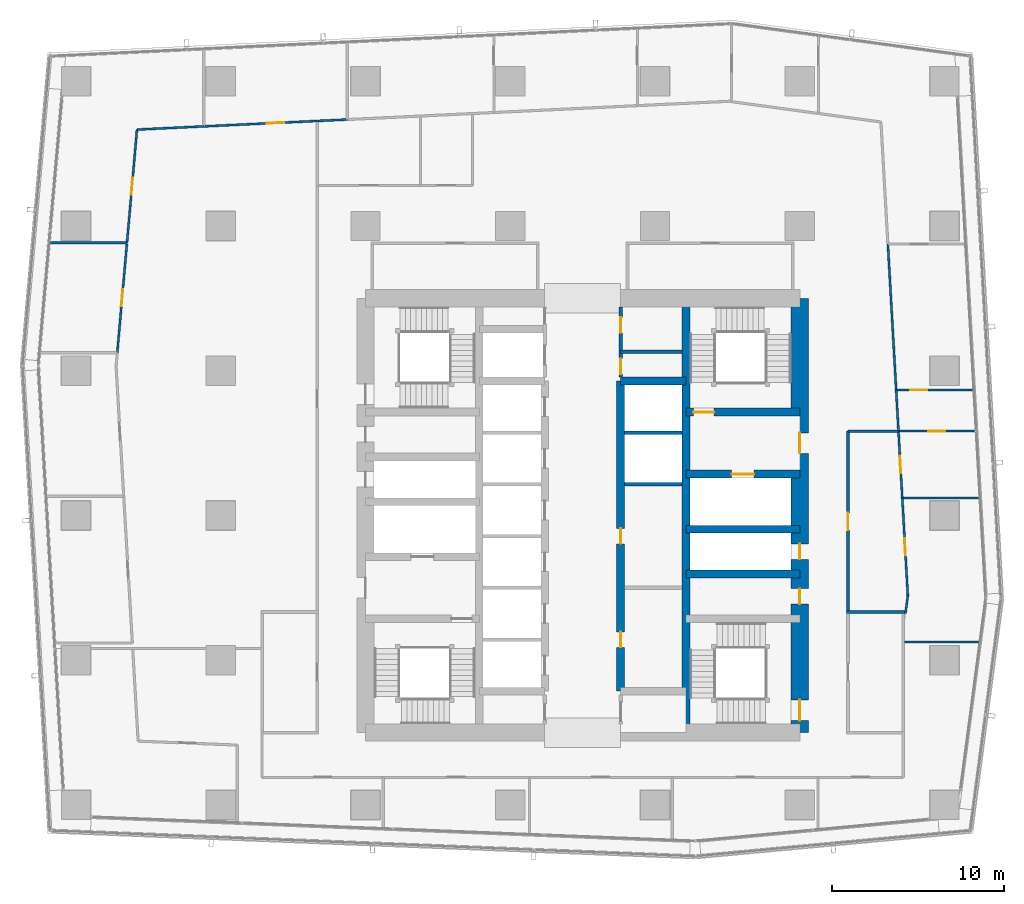
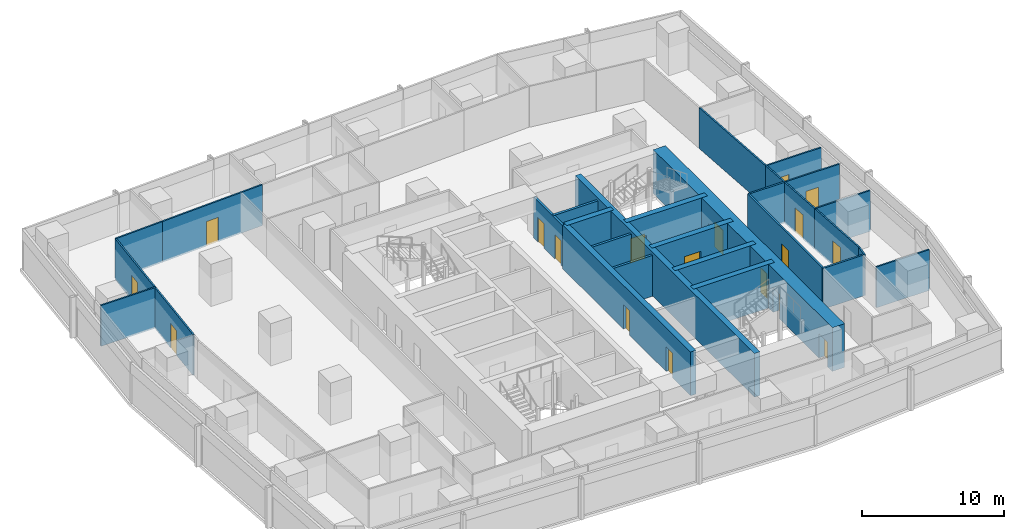
# One storey, part 29 of 39: 29 walls, 18 doors, 18 openings.
"""IFC4 building model written with IfcOpenShell, lengths in metres."""

from ifc_helpers import new_model, si_unit, direction, frame, frame_2d, origin, place, context, subcontext, project, spatial, rectangle, extrude, material, layer, layer_set, type_object, element, fill, save


model = new_model("IFC4")

# Units and contexts
model_context = context("Model", 3, precision=1e-05, world=origin(), true_north=direction((0.0, 1.0)))
body_context = subcontext(model_context, "Body", "Model", "MODEL_VIEW")
ifc_project = project(units=[si_unit("LENGTHUNIT", "METRE"), si_unit("AREAUNIT", "SQUARE_METRE"), si_unit("VOLUMEUNIT", "CUBIC_METRE"), si_unit("PLANEANGLEUNIT", "RADIAN"), si_unit("MASSUNIT", "GRAM", prefix="KILO")], contexts=[model_context])

# Site, building, storey
site_placement = place(None, origin())
site = spatial("IfcSite", under=ifc_project, at=site_placement, CompositionType="ELEMENT")
building_placement = place(site_placement, origin())
building = spatial("IfcBuilding", under=site, at=building_placement, Name="Rekha Terrace Tower", CompositionType="ELEMENT")
storey_placement = place(building_placement, frame((0.0, 0.0, 180.199951171875)))
storey = spatial("IfcBuildingStorey", under=building, at=storey_placement, Name="L45", CompositionType="ELEMENT", Elevation=180.199951171875)

# Wall
ifc_material_1 = material(Name="Concrete M60", Category="concrete")
ifc_layer_1 = layer(ifc_material_1, 0.449951171875)
ifc_layer_set_1 = layer_set([ifc_layer_1], Name="Concrete M60")
wall_type_1 = type_object("IfcWallType", Name="CI3 450 core internal shear wall", PredefinedType="SHEAR", material=ifc_layer_set_1)
wall_1_placement = place(storey_placement, frame((43.800048828125, 21.0, 0.0), z_axis=(0.0, 0.0, 1.0), x_axis=(0.0, 1.0, 0.0)))
element("IfcWall", 1, at=wall_1_placement, inside=storey, type_object=wall_type_1, Name="Core wall X438 L45", PredefinedType="SHEAR", context=body_context, shape_type="SweptSolid", body=[
    extrude(rectangle(XDim=25.199951171875, YDim=0.449951171875, at=frame_2d((12.60009765625, 0.0))), origin(), (0.0, 0.0, 1.0), 3.75),
])

# Wall, openings, doors
wall_2_placement = place(storey_placement, frame((40.0, 23.39990234375, 0.0), z_axis=(0.0, 0.0, 1.0), x_axis=(0.0, 1.0, 0.0)))
wall_2 = element("IfcWall", 2, at=wall_2_placement, inside=storey, type_object=wall_type_1, Name="Core wall X400 L45", PredefinedType="SHEAR", context=body_context, shape_type="SweptSolid", body=[
    extrude(rectangle(XDim=18.0, YDim=0.449951171875, at=frame_2d((9.0, 0.0))), origin(), (0.0, 0.0, 1.0), 3.75),
])
opening_1_placement = place(wall_2_placement, frame((2.550048828125, 0.0, 0.0)))
opening_1 = element("IfcOpeningElement", 3, at=opening_1_placement, cuts=wall_2, Name="Opening D5", PredefinedType="OPENING", context=body_context, shape_type="SweptSolid", body=[
    extrude(rectangle(XDim=0.89990234375, YDim=2.10009765625, at=frame_2d((0.449951171875, 1.050048828125))), frame((0.0, 0.23486328125, 0.0), z_axis=(0.0, -1.0, 0.0), x_axis=(1.0, 0.0, 0.0)), (0.0, 0.0, 1.0), 0.469970703125),
])
opening_2_placement = place(wall_2_placement, frame((8.550048828125, 0.0, 0.0)))
opening_2 = element("IfcOpeningElement", 4, at=opening_2_placement, cuts=wall_2, Name="Opening D5", PredefinedType="OPENING", context=body_context, shape_type="SweptSolid", body=[
    extrude(rectangle(XDim=0.89990234375, YDim=2.10009765625, at=frame_2d((0.449951171875, 1.050048828125))), frame((0.0, 0.23486328125, 0.0), z_axis=(0.0, -1.0, 0.0), x_axis=(1.0, 0.0, 0.0)), (0.0, 0.0, 1.0), 0.469970703125),
])
ifc_material_2 = material(Name="Steel fire door", Category="steel")
door_type_1 = type_object("IfcDoorType", Name="D5 900x2100 riser access door", OperationType="SINGLE_SWING_LEFT", PredefinedType="DOOR", material=ifc_material_2)
door_1_placement = place(opening_1_placement, origin())
door_1 = element("IfcDoor", 5, at=door_1_placement, inside=storey, type_object=door_type_1, Name="Door back-of-house store L45", OperationType="SINGLE_SWING_LEFT", OverallHeight=2.10009765625, OverallWidth=0.89990234375, PredefinedType="DOOR", context=body_context, shape_type="SweptSolid", body=[
    extrude(rectangle(XDim=0.89990234375, YDim=2.10009765625, at=frame_2d((0.449951171875, 1.050048828125))), frame((0.0, 0.02490234375, 0.0), z_axis=(0.0, -1.0, 0.0), x_axis=(1.0, 0.0, 0.0)), (0.0, 0.0, 1.0), 0.050048828125),
])
fill(opening_1, door_1)
door_2_placement = place(opening_2_placement, origin())
door_2 = element("IfcDoor", 6, at=door_2_placement, inside=storey, type_object=door_type_1, Name="Door back-of-house store L45", OperationType="SINGLE_SWING_LEFT", OverallHeight=2.10009765625, OverallWidth=0.89990234375, PredefinedType="DOOR", context=body_context, shape_type="SweptSolid", body=[
    extrude(rectangle(XDim=0.89990234375, YDim=2.10009765625, at=frame_2d((0.449951171875, 1.050048828125))), frame((0.0, 0.02490234375, 0.0), z_axis=(0.0, -1.0, 0.0), x_axis=(1.0, 0.0, 0.0)), (0.0, 0.0, 1.0), 0.050048828125),
])
fill(opening_2, door_2)

# Walls
wall_3_placement = place(storey_placement, frame((40.0, 41.39990234375, 0.0), z_axis=(0.0, 0.0, 1.0), x_axis=(1.0, 0.0, 0.0)))
element("IfcWall", 7, at=wall_3_placement, inside=storey, type_object=wall_type_1, Name="Core wall Y414E L45", PredefinedType="SHEAR", context=body_context, shape_type="SweptSolid", body=[
    extrude(rectangle(XDim=3.800048828125, YDim=0.449951171875, at=frame_2d((1.89990234375, 0.0))), origin(), (0.0, 0.0, 1.0), 3.75),
])
for number, where, z_axis, x_axis, name in (
    (8, (43.800048828125, 30.199951171875, 0.0), (0.0, 0.0, 1.0), (1.0, 0.0, 0.0), "Core wall Y302E L45"),
    (9, (43.800048828125, 32.800048828125, 0.0), (0.0, 0.0, 1.0), (1.0, 0.0, 0.0), "Core wall Y328E L45"),
):
    element("IfcWall", number, at=place(storey_placement, frame(where, z_axis=z_axis, x_axis=x_axis)), inside=storey, type_object=wall_type_1, Name=name, PredefinedType="SHEAR", context=body_context, shape_type="SweptSolid", body=[
        extrude(rectangle(XDim=6.599853515625, YDim=0.449951171875, at=frame_2d((3.2998046875, 0.0))), origin(), (0.0, 0.0, 1.0), 3.75),
    ])

# Wall, opening, door
wall_4_placement = place(storey_placement, frame((43.800048828125, 36.0, 0.0), z_axis=(0.0, 0.0, 1.0), x_axis=(1.0, 0.0, 0.0)))
wall_4 = element("IfcWall", 10, at=wall_4_placement, inside=storey, type_object=wall_type_1, Name="Core wall Y360E L45", PredefinedType="SHEAR", context=body_context, shape_type="SweptSolid", body=[
    extrude(rectangle(XDim=6.599853515625, YDim=0.449951171875, at=frame_2d((3.2998046875, 0.0))), origin(), (0.0, 0.0, 1.0), 3.75),
])
opening_3_placement = place(wall_4_placement, frame((2.64990234375, 0.0, 0.0)))
opening_3 = element("IfcOpeningElement", 11, at=opening_3_placement, cuts=wall_4, Name="Opening LD2", PredefinedType="OPENING", context=body_context, shape_type="SweptSolid", body=[
    extrude(rectangle(XDim=1.300048828125, YDim=2.10009765625, at=frame_2d((0.64990234375, 1.050048828125))), frame((0.0, 0.23486328125, 0.0), z_axis=(0.0, -1.0, 0.0), x_axis=(1.0, 0.0, 0.0)), (0.0, 0.0, 1.0), 0.469970703125),
])
ifc_material_3 = material(Name="Stainless steel sliding landing door", Category="steel")
door_type_2 = type_object("IfcDoorType", Name="LD2 1300x2100 fire lift landing door", OperationType="SLIDING_TO_LEFT", PredefinedType="USERDEFINED", material=ifc_material_3)
door_3_placement = place(opening_3_placement, origin())
door_3 = element("IfcDoor", 12, at=door_3_placement, inside=storey, type_object=door_type_2, Name="Lift FL2 landing door L45", ObjectType="LIFT LANDING DOOR", OperationType="SLIDING_TO_LEFT", OverallHeight=2.10009765625, OverallWidth=1.300048828125, PredefinedType="USERDEFINED", context=body_context, shape_type="SweptSolid", body=[
    extrude(rectangle(XDim=1.300048828125, YDim=2.10009765625, at=frame_2d((0.64990234375, 1.050048828125))), frame((0.0, 0.02490234375, 0.0), z_axis=(0.0, -1.0, 0.0), x_axis=(1.0, 0.0, 0.0)), (0.0, 0.0, 1.0), 0.050048828125),
])
fill(opening_3, door_3)

wall_5_placement = place(storey_placement, frame((43.800048828125, 39.60009765625, 0.0), z_axis=(0.0, 0.0, 1.0), x_axis=(1.0, 0.0, 0.0)))
wall_5 = element("IfcWall", 13, at=wall_5_placement, inside=storey, type_object=wall_type_1, Name="Core wall Y396E L45", PredefinedType="SHEAR", context=body_context, shape_type="SweptSolid", body=[
    extrude(rectangle(XDim=6.599853515625, YDim=0.449951171875, at=frame_2d((3.2998046875, 0.0))), origin(), (0.0, 0.0, 1.0), 3.75),
])
opening_4_placement = place(wall_5_placement, frame((0.425048828125, 0.0, 0.0)))
opening_4 = element("IfcOpeningElement", 14, at=opening_4_placement, cuts=wall_5, Name="Opening D1", PredefinedType="OPENING", context=body_context, shape_type="SweptSolid", body=[
    extrude(rectangle(XDim=1.199951171875, YDim=2.10009765625, at=frame_2d((0.60009765625, 1.050048828125))), frame((0.0, 0.23486328125, 0.0), z_axis=(0.0, -1.0, 0.0), x_axis=(1.0, 0.0, 0.0)), (0.0, 0.0, 1.0), 0.469970703125),
])
door_type_3 = type_object("IfcDoorType", Name="D1 1200x2100 stair fire door", OperationType="SINGLE_SWING_RIGHT", PredefinedType="DOOR", material=ifc_material_2)
door_4_placement = place(opening_4_placement, origin())
door_4 = element("IfcDoor", 15, at=door_4_placement, inside=storey, type_object=door_type_3, Name="Stair ST2 door L45", OperationType="SINGLE_SWING_RIGHT", OverallHeight=2.10009765625, OverallWidth=1.199951171875, PredefinedType="DOOR", context=body_context, shape_type="SweptSolid", body=[
    extrude(rectangle(XDim=1.199951171875, YDim=2.10009765625, at=frame_2d((0.60009765625, 1.050048828125))), frame((0.0, 0.02490234375, 0.0), z_axis=(0.0, -1.0, 0.0), x_axis=(1.0, 0.0, 0.0)), (0.0, 0.0, 1.0), 0.050048828125),
])
fill(opening_4, door_4)

# Wall, openings, doors
ifc_layer_2 = layer(ifc_material_1, 1.0)
ifc_layer_set_2 = layer_set([ifc_layer_2], Name="Concrete M60")
wall_type_2 = type_object("IfcWallType", Name="SW3 1000 core outer shear wall", PredefinedType="SHEAR", material=ifc_layer_set_2)
wall_6_placement = place(storey_placement, frame((50.39990234375, 21.0, 0.0), z_axis=(0.0, 0.0, 1.0), x_axis=(0.0, 1.0, 0.0)))
wall_6 = element("IfcWall", 16, at=wall_6_placement, inside=storey, type_object=wall_type_2, Name="Core wall E L45", PredefinedType="SHEAR", context=body_context, shape_type="SweptSolid", body=[
    extrude(rectangle(XDim=25.199951171875, YDim=1.0, at=frame_2d((12.60009765625, 0.0))), origin(), (0.0, 0.0, 1.0), 3.75),
])
opening_5_placement = place(wall_6_placement, frame((16.199951171875, 0.0, 0.0)))
opening_5 = element("IfcOpeningElement", 17, at=opening_5_placement, cuts=wall_6, Name="Opening D2", PredefinedType="OPENING", context=body_context, shape_type="SweptSolid", body=[
    extrude(rectangle(XDim=1.199951171875, YDim=2.10009765625, at=frame_2d((0.60009765625, 1.050048828125))), frame((0.0, 0.510009765625, 0.0), z_axis=(0.0, -1.0, 0.0), x_axis=(1.0, 0.0, 0.0)), (0.0, 0.0, 1.0), 1.02001953125),
])
opening_6_placement = place(wall_6_placement, frame((10.050048828125, 0.0, 0.0)))
opening_6 = element("IfcOpeningElement", 18, at=opening_6_placement, cuts=wall_6, Name="Opening D5", PredefinedType="OPENING", context=body_context, shape_type="SweptSolid", body=[
    extrude(rectangle(XDim=0.89990234375, YDim=2.10009765625, at=frame_2d((0.449951171875, 1.050048828125))), frame((0.0, 0.510009765625, 0.0), z_axis=(0.0, -1.0, 0.0), x_axis=(1.0, 0.0, 0.0)), (0.0, 0.0, 1.0), 1.02001953125),
])
opening_7_placement = place(wall_6_placement, frame((7.449951171875, 0.0, 0.0)))
opening_7 = element("IfcOpeningElement", 19, at=opening_7_placement, cuts=wall_6, Name="Opening D5", PredefinedType="OPENING", context=body_context, shape_type="SweptSolid", body=[
    extrude(rectangle(XDim=0.89990234375, YDim=2.10009765625, at=frame_2d((0.449951171875, 1.050048828125))), frame((0.0, 0.510009765625, 0.0), z_axis=(0.0, -1.0, 0.0), x_axis=(1.0, 0.0, 0.0)), (0.0, 0.0, 1.0), 1.02001953125),
])
opening_8_placement = place(wall_6_placement, frame((0.699951171875, 0.0, 0.0)))
opening_8 = element("IfcOpeningElement", 20, at=opening_8_placement, cuts=wall_6, Name="Opening D1", PredefinedType="OPENING", context=body_context, shape_type="SweptSolid", body=[
    extrude(rectangle(XDim=1.199951171875, YDim=2.10009765625, at=frame_2d((0.60009765625, 1.050048828125))), frame((0.0, 0.510009765625, 0.0), z_axis=(0.0, -1.0, 0.0), x_axis=(1.0, 0.0, 0.0)), (0.0, 0.0, 1.0), 1.02001953125),
])
door_5_placement = place(opening_8_placement, origin())
door_5 = element("IfcDoor", 21, at=door_5_placement, inside=storey, type_object=door_type_3, Name="Stair ST3 door L45", OperationType="SINGLE_SWING_RIGHT", OverallHeight=2.10009765625, OverallWidth=1.199951171875, PredefinedType="DOOR", context=body_context, shape_type="SweptSolid", body=[
    extrude(rectangle(XDim=1.199951171875, YDim=2.10009765625, at=frame_2d((0.60009765625, 1.050048828125))), frame((0.0, 0.02490234375, 0.0), z_axis=(0.0, -1.0, 0.0), x_axis=(1.0, 0.0, 0.0)), (0.0, 0.0, 1.0), 0.050048828125),
])
fill(opening_8, door_5)
door_type_4 = type_object("IfcDoorType", Name="D2 1200x2100 firefighting lobby door", OperationType="SINGLE_SWING_LEFT", PredefinedType="DOOR", material=ifc_material_2)
door_6_placement = place(opening_5_placement, origin())
door_6 = element("IfcDoor", 22, at=door_6_placement, inside=storey, type_object=door_type_4, Name="Door flb2 L45", OperationType="SINGLE_SWING_LEFT", OverallHeight=2.10009765625, OverallWidth=1.199951171875, PredefinedType="DOOR", context=body_context, shape_type="SweptSolid", body=[
    extrude(rectangle(XDim=1.199951171875, YDim=2.10009765625, at=frame_2d((0.60009765625, 1.050048828125))), frame((0.0, 0.02490234375, 0.0), z_axis=(0.0, -1.0, 0.0), x_axis=(1.0, 0.0, 0.0)), (0.0, 0.0, 1.0), 0.050048828125),
])
fill(opening_5, door_6)
door_7_placement = place(opening_6_placement, origin())
door_7 = element("IfcDoor", 23, at=door_7_placement, inside=storey, type_object=door_type_1, Name="Door rs2 L45", OperationType="SINGLE_SWING_LEFT", OverallHeight=2.10009765625, OverallWidth=0.89990234375, PredefinedType="DOOR", context=body_context, shape_type="SweptSolid", body=[
    extrude(rectangle(XDim=0.89990234375, YDim=2.10009765625, at=frame_2d((0.449951171875, 1.050048828125))), frame((0.0, 0.02490234375, 0.0), z_axis=(0.0, -1.0, 0.0), x_axis=(1.0, 0.0, 0.0)), (0.0, 0.0, 1.0), 0.050048828125),
])
fill(opening_6, door_7)
door_8_placement = place(opening_7_placement, origin())
door_8 = element("IfcDoor", 24, at=door_8_placement, inside=storey, type_object=door_type_1, Name="Door ele L45", OperationType="SINGLE_SWING_LEFT", OverallHeight=2.10009765625, OverallWidth=0.89990234375, PredefinedType="DOOR", context=body_context, shape_type="SweptSolid", body=[
    extrude(rectangle(XDim=0.89990234375, YDim=2.10009765625, at=frame_2d((0.449951171875, 1.050048828125))), frame((0.0, 0.02490234375, 0.0), z_axis=(0.0, -1.0, 0.0), x_axis=(1.0, 0.0, 0.0)), (0.0, 0.0, 1.0), 0.050048828125),
])
fill(opening_7, door_8)

# Wall
ifc_material_4 = material(Name="Concrete block masonry, 1 hour", Category="masonry")
ifc_layer_3 = layer(ifc_material_4, 0.14990234375)
ifc_layer_set_3 = layer_set([ifc_layer_3], Name="Concrete block masonry, 1 hour")
wall_type_3 = type_object("IfcWallType", Name="WP2 150 tenancy partition", PredefinedType="PARTITIONING", material=ifc_layer_set_3)
wall_7_placement = place(storey_placement, frame((53.125, 28.0, 0.0), z_axis=(0.0, 0.0, 1.0), x_axis=(1.0, 0.0, 0.0)))
element("IfcWall", 25, at=wall_7_placement, inside=storey, type_object=wall_type_3, Name="Men's WC wall L45", PredefinedType="PARTITIONING", context=body_context, shape_type="SweptSolid", body=[
    extrude(rectangle(XDim=3.35009765625, YDim=0.14990234375, at=frame_2d((1.675048828125, 0.0))), origin(), (0.0, 0.0, 1.0), 3.5),
])

# Wall, opening, door
wall_8_placement = place(storey_placement, frame((53.199951171875, 28.074951171875, 0.0), z_axis=(0.0, 0.0, 1.0), x_axis=(0.0, 1.0, 0.0)))
wall_8 = element("IfcWall", 26, at=wall_8_placement, inside=storey, type_object=wall_type_3, Name="Partition L45-O1", PredefinedType="PARTITIONING", context=body_context, shape_type="SweptSolid", body=[
    extrude(rectangle(XDim=10.4189453125, YDim=0.14990234375, at=frame_2d((5.20947265625, 0.0))), origin(), (0.0, 0.0, 1.0), 3.5),
])
opening_9_placement = place(wall_8_placement, frame((4.672119140625, 0.0, 0.0)))
opening_9 = element("IfcOpeningElement", 27, at=opening_9_placement, cuts=wall_8, Name="Opening D9", PredefinedType="OPENING", context=body_context, shape_type="SweptSolid", body=[
    extrude(rectangle(XDim=1.0, YDim=2.10009765625, at=frame_2d((0.5, 1.050048828125))), frame((0.0, 0.0849609375, 0.0), z_axis=(0.0, -1.0, 0.0), x_axis=(1.0, 0.0, 0.0)), (0.0, 0.0, 1.0), 0.169921875),
])
ifc_material_5 = material(Name="Timber fire door", Category="wood")
door_type_5 = type_object("IfcDoorType", Name="D9 1000x2100 office door", OperationType="SINGLE_SWING_LEFT", PredefinedType="DOOR", material=ifc_material_5)
door_9_placement = place(opening_9_placement, origin())
door_9 = element("IfcDoor", 28, at=door_9_placement, inside=storey, type_object=door_type_5, Name="Door open-plan office L45", OperationType="SINGLE_SWING_LEFT", OverallHeight=2.10009765625, OverallWidth=1.0, PredefinedType="DOOR", context=body_context, shape_type="SweptSolid", body=[
    extrude(rectangle(XDim=1.0, YDim=2.10009765625, at=frame_2d((0.5, 1.050048828125))), frame((0.0, 0.02490234375, 0.0), z_axis=(0.0, -1.0, 0.0), x_axis=(1.0, 0.0, 0.0)), (0.0, 0.0, 1.0), 0.050048828125),
])
fill(opening_9, door_9)

# Walls
wall_9_placement = place(storey_placement, frame((53.199951171875, 38.493896484375, 0.0), z_axis=(0.0, 0.0, 1.0), x_axis=(1.0, 0.0, 0.0)))
element("IfcWall", 29, at=wall_9_placement, inside=storey, type_object=wall_type_3, Name="Partition L45-O1", PredefinedType="PARTITIONING", context=body_context, shape_type="SweptSolid", body=[
    extrude(rectangle(XDim=2.927001953125, YDim=0.14990234375, at=frame_2d((1.46337890625, 0.0))), origin(), (0.0, 0.0, 1.0), 3.5),
])
ifc_material_6 = material(Name="Two layers of fire-rated gypsum board each side on steel studs, acoustic quilt, 1 hour", Category="steel")
ifc_layer_4 = layer(ifc_material_6, 0.125)
ifc_layer_set_4 = layer_set([ifc_layer_4], Name="Two layers of fire-rated gypsum board each side on steel studs, acoustic quilt, 1 hour")
wall_type_4 = type_object("IfcWallType", Name="WP3 125 office partition", PredefinedType="PARTITIONING", material=ifc_layer_set_4)
wall_10_placement = place(storey_placement, frame((56.47509765625, 26.2548828125, 0.0), z_axis=(0.0, 0.0, 1.0), x_axis=(1.0, 0.0, 0.0)))
element("IfcWall", 30, at=wall_10_placement, inside=storey, type_object=wall_type_4, Name="Partition L45-04", PredefinedType="PARTITIONING", context=body_context, shape_type="SweptSolid", body=[
    extrude(rectangle(XDim=4.2958984375, YDim=0.125, at=frame_2d((2.14794921875, 0.0))), origin(), (0.0, 0.0, 1.0), 3.5),
])

# Wall, opening, door
wall_11_placement = place(storey_placement, frame((56.6689453125, 28.948974609375, 0.0), z_axis=(0.0, 0.0, 1.0), x_axis=(-0.05664130847, 0.998394592421, 0.0)))
wall_11 = element("IfcWall", 31, at=wall_11_placement, inside=storey, type_object=wall_type_4, Name="Partition L45-05", PredefinedType="PARTITIONING", context=body_context, shape_type="SweptSolid", body=[
    extrude(rectangle(XDim=5.66796875, YDim=0.125, at=frame_2d((2.833984375, 0.0))), origin(), (0.0, 0.0, 1.0), 3.5),
])
opening_10_placement = place(wall_11_placement, frame((2.333984375, 0.0, 0.0)))
opening_10 = element("IfcOpeningElement", 32, at=opening_10_placement, cuts=wall_11, Name="Opening D9", PredefinedType="OPENING", context=body_context, shape_type="SweptSolid", body=[
    extrude(rectangle(XDim=1.0, YDim=2.10009765625, at=frame_2d((0.5, 1.050048828125))), frame((0.0, 0.072509765625, 0.0), z_axis=(0.0, -1.0, 0.0), x_axis=(1.0, 0.0, 0.0)), (0.0, 0.0, 1.0), 0.14501953125),
])
door_10_placement = place(opening_10_placement, origin())
door_10 = element("IfcDoor", 33, at=door_10_placement, inside=storey, type_object=door_type_5, Name="Door office L45", OperationType="SINGLE_SWING_LEFT", OverallHeight=2.10009765625, OverallWidth=1.0, PredefinedType="DOOR", context=body_context, shape_type="SweptSolid", body=[
    extrude(rectangle(XDim=1.0, YDim=2.10009765625, at=frame_2d((0.5, 1.050048828125))), frame((0.0, 0.02490234375, 0.0), z_axis=(0.0, -1.0, 0.0), x_axis=(1.0, 0.0, 0.0)), (0.0, 0.0, 1.0), 0.050048828125),
])
fill(opening_10, door_10)

# Walls
wall_12_placement = place(storey_placement, frame((56.347900390625, 34.60791015625, 0.0), z_axis=(0.0, 0.0, 1.0), x_axis=(1.0, 0.0, 0.0)))
element("IfcWall", 34, at=wall_12_placement, inside=storey, type_object=wall_type_4, Name="Partition L45-05", PredefinedType="PARTITIONING", context=body_context, shape_type="SweptSolid", body=[
    extrude(rectangle(XDim=4.45703125, YDim=0.125, at=frame_2d((2.228515625, 0.0))), origin(), (0.0, 0.0, 1.0), 3.5),
])
wall_13_placement = place(storey_placement, frame((56.532958984375, 27.91796875, 0.0), z_axis=(0.0, 0.0, 1.0), x_axis=(0.130764223689, 0.991413494866, 0.0)))
element("IfcWall", 35, at=wall_13_placement, inside=storey, type_object=wall_type_4, Name="Partition L45-05", PredefinedType="PARTITIONING", context=body_context, shape_type="SweptSolid", body=[
    extrude(rectangle(XDim=1.0400390625, YDim=0.125, at=frame_2d((0.52001953125, 0.0))), origin(), (0.0, 0.0, 1.0), 3.5),
])

# Wall, opening, door
wall_14_placement = place(storey_placement, frame((56.347900390625, 34.60888671875, 0.0), z_axis=(0.0, 0.0, 1.0), x_axis=(-0.056779989764, 0.998386715037, 0.0)))
wall_14 = element("IfcWall", 36, at=wall_14_placement, inside=storey, type_object=wall_type_4, Name="Partition L45-06", PredefinedType="PARTITIONING", context=body_context, shape_type="SweptSolid", body=[
    extrude(rectangle(XDim=3.891357421875, YDim=0.125, at=frame_2d((1.94580078125, 0.0))), origin(), (0.0, 0.0, 1.0), 3.5),
])
opening_11_placement = place(wall_14_placement, frame((1.446044921875, 0.0, 0.0)))
opening_11 = element("IfcOpeningElement", 37, at=opening_11_placement, cuts=wall_14, Name="Opening D9", PredefinedType="OPENING", context=body_context, shape_type="SweptSolid", body=[
    extrude(rectangle(XDim=1.0, YDim=2.10009765625, at=frame_2d((0.5, 1.050048828125))), frame((0.0, 0.072509765625, 0.0), z_axis=(0.0, -1.0, 0.0), x_axis=(1.0, 0.0, 0.0)), (0.0, 0.0, 1.0), 0.14501953125),
])
door_11_placement = place(opening_11_placement, origin())
door_11 = element("IfcDoor", 38, at=door_11_placement, inside=storey, type_object=door_type_5, Name="Door office L45", OperationType="SINGLE_SWING_LEFT", OverallHeight=2.10009765625, OverallWidth=1.0, PredefinedType="DOOR", context=body_context, shape_type="SweptSolid", body=[
    extrude(rectangle(XDim=1.0, YDim=2.10009765625, at=frame_2d((0.5, 1.050048828125))), frame((0.0, 0.02490234375, 0.0), z_axis=(0.0, -1.0, 0.0), x_axis=(1.0, 0.0, 0.0)), (0.0, 0.0, 1.0), 0.050048828125),
])
fill(opening_11, door_11)

wall_15_placement = place(storey_placement, frame((56.126953125, 38.493896484375, 0.0), z_axis=(0.0, 0.0, 1.0), x_axis=(1.0, 0.0, 0.0)))
wall_15 = element("IfcWall", 39, at=wall_15_placement, inside=storey, type_object=wall_type_4, Name="Partition L45-06", PredefinedType="PARTITIONING", context=body_context, shape_type="SweptSolid", body=[
    extrude(rectangle(XDim=4.427978515625, YDim=0.125, at=frame_2d((2.2138671875, 0.0))), origin(), (0.0, 0.0, 1.0), 3.5),
])
opening_12_placement = place(wall_15_placement, frame((1.714111328125, 0.0, 0.0)))
opening_12 = element("IfcOpeningElement", 40, at=opening_12_placement, cuts=wall_15, Name="Opening D9", PredefinedType="OPENING", context=body_context, shape_type="SweptSolid", body=[
    extrude(rectangle(XDim=1.0, YDim=2.10009765625, at=frame_2d((0.5, 1.050048828125))), frame((0.0, 0.072509765625, 0.0), z_axis=(0.0, -1.0, 0.0), x_axis=(1.0, 0.0, 0.0)), (0.0, 0.0, 1.0), 0.14501953125),
])
door_12_placement = place(opening_12_placement, origin())
door_12 = element("IfcDoor", 41, at=door_12_placement, inside=storey, type_object=door_type_5, Name="Door office L45", OperationType="SINGLE_SWING_LEFT", OverallHeight=2.10009765625, OverallWidth=1.0, PredefinedType="DOOR", context=body_context, shape_type="SweptSolid", body=[
    extrude(rectangle(XDim=1.0, YDim=2.10009765625, at=frame_2d((0.5, 1.050048828125))), frame((0.0, 0.02490234375, 0.0), z_axis=(0.0, -1.0, 0.0), x_axis=(1.0, 0.0, 0.0)), (0.0, 0.0, 1.0), 0.050048828125),
])
fill(opening_12, door_12)

# Wall
wall_16_placement = place(storey_placement, frame((56.126953125, 38.4951171875, 0.0), z_axis=(0.0, 0.0, 1.0), x_axis=(-0.056546005431, 0.998399994626, 0.0)))
element("IfcWall", 42, at=wall_16_placement, inside=storey, type_object=wall_type_4, Name="Partition L45-10", PredefinedType="PARTITIONING", context=body_context, shape_type="SweptSolid", body=[
    extrude(rectangle(XDim=2.3876953125, YDim=0.125, at=frame_2d((1.19384765625, 0.0))), origin(), (0.0, 0.0, 1.0), 3.5),
])

# Wall, opening, door
wall_17_placement = place(storey_placement, frame((55.991943359375, 40.87890625, 0.0), z_axis=(0.0, 0.0, 1.0), x_axis=(1.0, 0.0, 0.0)))
wall_17 = element("IfcWall", 43, at=wall_17_placement, inside=storey, type_object=wall_type_4, Name="Partition L45-10", PredefinedType="PARTITIONING", context=body_context, shape_type="SweptSolid", body=[
    extrude(rectangle(XDim=4.45703125, YDim=0.125, at=frame_2d((2.228515625, 0.0))), origin(), (0.0, 0.0, 1.0), 3.5),
])
opening_13_placement = place(wall_17_placement, frame((0.81396484375, 0.0, 0.0)))
opening_13 = element("IfcOpeningElement", 44, at=opening_13_placement, cuts=wall_17, Name="Opening D9", PredefinedType="OPENING", context=body_context, shape_type="SweptSolid", body=[
    extrude(rectangle(XDim=1.0, YDim=2.10009765625, at=frame_2d((0.5, 1.050048828125))), frame((0.0, 0.072509765625, 0.0), z_axis=(0.0, -1.0, 0.0), x_axis=(1.0, 0.0, 0.0)), (0.0, 0.0, 1.0), 0.14501953125),
])
door_13_placement = place(opening_13_placement, origin())
door_13 = element("IfcDoor", 45, at=door_13_placement, inside=storey, type_object=door_type_5, Name="Door office L45", OperationType="SINGLE_SWING_LEFT", OverallHeight=2.10009765625, OverallWidth=1.0, PredefinedType="DOOR", context=body_context, shape_type="SweptSolid", body=[
    extrude(rectangle(XDim=1.0, YDim=2.10009765625, at=frame_2d((0.5, 1.050048828125))), frame((0.0, 0.02490234375, 0.0), z_axis=(0.0, -1.0, 0.0), x_axis=(1.0, 0.0, 0.0)), (0.0, 0.0, 1.0), 0.050048828125),
])
fill(opening_13, door_13)

# Wall
wall_18_placement = place(storey_placement, frame((55.991943359375, 40.8798828125, 0.0), z_axis=(0.0, 0.0, 1.0), x_axis=(-0.056603741884, 0.998396722954, 0.0)))
element("IfcWall", 46, at=wall_18_placement, inside=storey, type_object=wall_type_4, Name="Partition L45-11", PredefinedType="PARTITIONING", context=body_context, shape_type="SweptSolid", body=[
    extrude(rectangle(XDim=8.479736328125, YDim=0.125, at=frame_2d((4.23974609375, 0.0))), origin(), (0.0, 0.0, 1.0), 3.5),
])

# Wall, opening, door
wall_19_placement = place(storey_placement, frame((24.14208984375, 56.575927734375, 0.0), z_axis=(0.0, 0.0, 1.0), x_axis=(-0.998859773086, -0.047740482938, 0.0)))
wall_19 = element("IfcWall", 47, at=wall_19_placement, inside=storey, type_object=wall_type_4, Name="Partition L45-17", PredefinedType="PARTITIONING", context=body_context, shape_type="SweptSolid", body=[
    extrude(rectangle(XDim=8.335693359375, YDim=0.125, at=frame_2d((4.16796875, 0.0))), origin(), (0.0, 0.0, 1.0), 3.5),
])
opening_14_placement = place(wall_19_placement, frame((3.66796875, 0.0, 0.0)))
opening_14 = element("IfcOpeningElement", 48, at=opening_14_placement, cuts=wall_19, Name="Opening D9", PredefinedType="OPENING", context=body_context, shape_type="SweptSolid", body=[
    extrude(rectangle(XDim=1.0, YDim=2.10009765625, at=frame_2d((0.5, 1.050048828125))), frame((0.0, 0.072509765625, 0.0), z_axis=(0.0, -1.0, 0.0), x_axis=(1.0, 0.0, 0.0)), (0.0, 0.0, 1.0), 0.14501953125),
])
door_14_placement = place(opening_14_placement, origin())
door_14 = element("IfcDoor", 49, at=door_14_placement, inside=storey, type_object=door_type_5, Name="Door office L45", OperationType="SINGLE_SWING_LEFT", OverallHeight=2.10009765625, OverallWidth=1.0, PredefinedType="DOOR", context=body_context, shape_type="SweptSolid", body=[
    extrude(rectangle(XDim=1.0, YDim=2.10009765625, at=frame_2d((0.5, 1.050048828125))), frame((0.0, 0.02490234375, 0.0), z_axis=(0.0, -1.0, 0.0), x_axis=(1.0, 0.0, 0.0)), (0.0, 0.0, 1.0), 0.050048828125),
])
fill(opening_14, door_14)

# Walls
wall_20_placement = place(storey_placement, frame((11.35888671875, 49.427978515625, 0.0), z_axis=(0.0, 0.0, 1.0), x_axis=(-1.0, 0.0, 0.0)))
element("IfcWall", 50, at=wall_20_placement, inside=storey, type_object=wall_type_4, Name="Partition L45-18", PredefinedType="PARTITIONING", context=body_context, shape_type="SweptSolid", body=[
    extrude(rectangle(XDim=4.43798828125, YDim=0.125, at=frame_2d((2.218994140625, 0.0))), origin(), (0.0, 0.0, 1.0), 3.5),
])
wall_21_placement = place(storey_placement, frame((15.81494140625, 56.177978515625, 0.0), z_axis=(0.0, 0.0, 1.0), x_axis=(-0.998862723519, -0.047678711866, 0.0)))
element("IfcWall", 51, at=wall_21_placement, inside=storey, type_object=wall_type_4, Name="Partition L45-18", PredefinedType="PARTITIONING", context=body_context, shape_type="SweptSolid", body=[
    extrude(rectangle(XDim=3.88134765625, YDim=0.125, at=frame_2d((1.940673828125, 0.0))), origin(), (0.0, 0.0, 1.0), 3.5),
])

# Wall, opening, door
wall_22_placement = place(storey_placement, frame((11.93798828125, 55.992919921875, 0.0), z_axis=(0.0, 0.0, 1.0), x_axis=(-0.087870025349, -0.996131948411, 0.0)))
wall_22 = element("IfcWall", 52, at=wall_22_placement, inside=storey, type_object=wall_type_4, Name="Partition L45-18", PredefinedType="PARTITIONING", context=body_context, shape_type="SweptSolid", body=[
    extrude(rectangle(XDim=6.59033203125, YDim=0.125, at=frame_2d((3.295166015625, 0.0))), origin(), (0.0, 0.0, 1.0), 3.5),
])
opening_15_placement = place(wall_22_placement, frame((2.794921875, 0.0, 0.0)))
opening_15 = element("IfcOpeningElement", 53, at=opening_15_placement, cuts=wall_22, Name="Opening D9", PredefinedType="OPENING", context=body_context, shape_type="SweptSolid", body=[
    extrude(rectangle(XDim=1.0, YDim=2.10009765625, at=frame_2d((0.5, 1.050048828125))), frame((0.0, 0.072509765625, 0.0), z_axis=(0.0, -1.0, 0.0), x_axis=(1.0, 0.0, 0.0)), (0.0, 0.0, 1.0), 0.14501953125),
])
door_15_placement = place(opening_15_placement, origin())
door_15 = element("IfcDoor", 54, at=door_15_placement, inside=storey, type_object=door_type_5, Name="Door director's office L45", OperationType="SINGLE_SWING_LEFT", OverallHeight=2.10009765625, OverallWidth=1.0, PredefinedType="DOOR", context=body_context, shape_type="SweptSolid", body=[
    extrude(rectangle(XDim=1.0, YDim=2.10009765625, at=frame_2d((0.5, 1.050048828125))), frame((0.0, 0.02490234375, 0.0), z_axis=(0.0, -1.0, 0.0), x_axis=(1.0, 0.0, 0.0)), (0.0, 0.0, 1.0), 0.050048828125),
])
fill(opening_15, door_15)

wall_23_placement = place(storey_placement, frame((11.35302734375, 49.364990234375, 0.0), z_axis=(0.0, 0.0, 1.0), x_axis=(-0.087964559847, -0.996123604886, 0.0)))
wall_23 = element("IfcWall", 55, at=wall_23_placement, inside=storey, type_object=wall_type_4, Name="Partition L45-19", PredefinedType="PARTITIONING", context=body_context, shape_type="SweptSolid", body=[
    extrude(rectangle(XDim=6.3447265625, YDim=0.125, at=frame_2d((3.17236328125, 0.0))), origin(), (0.0, 0.0, 1.0), 3.5),
])
opening_16_placement = place(wall_23_placement, frame((2.64111328125, 0.0, 0.0)))
opening_16 = element("IfcOpeningElement", 56, at=opening_16_placement, cuts=wall_23, Name="Opening D9", PredefinedType="OPENING", context=body_context, shape_type="SweptSolid", body=[
    extrude(rectangle(XDim=1.0, YDim=2.10009765625, at=frame_2d((0.5, 1.050048828125))), frame((0.0, 0.072509765625, 0.0), z_axis=(0.0, -1.0, 0.0), x_axis=(1.0, 0.0, 0.0)), (0.0, 0.0, 1.0), 0.14501953125),
])
door_16_placement = place(opening_16_placement, origin())
door_16 = element("IfcDoor", 57, at=door_16_placement, inside=storey, type_object=door_type_5, Name="Door meeting room L45", OperationType="SINGLE_SWING_LEFT", OverallHeight=2.10009765625, OverallWidth=1.0, PredefinedType="DOOR", context=body_context, shape_type="SweptSolid", body=[
    extrude(rectangle(XDim=1.0, YDim=2.10009765625, at=frame_2d((0.5, 1.050048828125))), frame((0.0, 0.02490234375, 0.0), z_axis=(0.0, -1.0, 0.0), x_axis=(1.0, 0.0, 0.0)), (0.0, 0.0, 1.0), 0.050048828125),
])
fill(opening_16, door_16)

# Walls
ifc_material_7 = material(Name="Solid concrete block masonry, 2 hour", Category="masonry")
ifc_layer_5 = layer(ifc_material_7, 0.199951171875)
ifc_layer_set_5 = layer_set([ifc_layer_5], Name="Solid concrete block masonry, 2 hour")
wall_type_5 = type_object("IfcWallType", Name="WS1 200 stair and shaft enclosure", PredefinedType="PARTITIONING", material=ifc_layer_set_5)
for number, where, z_axis, x_axis, name in (
    (58, (40.22509765625, 35.39990234375, 0.0), (0.0, 0.0, 1.0), (1.0, 0.0, 0.0), "Lift shaft divider L45"),
    (59, (40.22509765625, 38.39990234375, 0.0), (0.0, 0.0, 1.0), (1.0, 0.0, 0.0), "Lift shaft divider L45"),
):
    element("IfcWall", number, at=place(storey_placement, frame(where, z_axis=z_axis, x_axis=x_axis)), inside=storey, type_object=wall_type_5, Name=name, PredefinedType="PARTITIONING", context=body_context, shape_type="SweptSolid", body=[
        extrude(rectangle(XDim=3.349853515625, YDim=0.199951171875, at=frame_2d((1.6748046875, 0.0))), origin(), (0.0, 0.0, 1.0), 3.5),
    ])

# Wall, openings, doors
wall_24_placement = place(storey_placement, frame((40.0, 41.625, 0.0), z_axis=(0.0, 0.0, 1.0), x_axis=(0.0, 1.0, 0.0)))
wall_24 = element("IfcWall", 60, at=wall_24_placement, inside=storey, type_object=wall_type_5, Name="Core partition elec L45", PredefinedType="PARTITIONING", context=body_context, shape_type="SweptSolid", body=[
    extrude(rectangle(XDim=4.074951171875, YDim=0.199951171875, at=frame_2d((2.03759765625, 0.0))), origin(), (0.0, 0.0, 1.0), 3.5),
])
opening_17_placement = place(wall_24_placement, frame((2.574951171875, 0.0, 0.0)))
opening_17 = element("IfcOpeningElement", 61, at=opening_17_placement, cuts=wall_24, Name="Opening D5", PredefinedType="OPENING", context=body_context, shape_type="SweptSolid", body=[
    extrude(rectangle(XDim=0.89990234375, YDim=2.10009765625, at=frame_2d((0.449951171875, 1.050048828125))), frame((0.0, 0.10986328125, 0.0), z_axis=(0.0, -1.0, 0.0), x_axis=(1.0, 0.0, 0.0)), (0.0, 0.0, 1.0), 0.219970703125),
])
opening_18_placement = place(wall_24_placement, frame((0.175048828125, 0.0, 0.0)))
opening_18 = element("IfcOpeningElement", 62, at=opening_18_placement, cuts=wall_24, Name="Opening D5", PredefinedType="OPENING", context=body_context, shape_type="SweptSolid", body=[
    extrude(rectangle(XDim=0.89990234375, YDim=2.10009765625, at=frame_2d((0.449951171875, 1.050048828125))), frame((0.0, 0.10986328125, 0.0), z_axis=(0.0, -1.0, 0.0), x_axis=(1.0, 0.0, 0.0)), (0.0, 0.0, 1.0), 0.219970703125),
])
door_17_placement = place(opening_17_placement, origin())
door_17 = element("IfcDoor", 63, at=door_17_placement, inside=storey, type_object=door_type_1, Name="Door electrical room L45", OperationType="SINGLE_SWING_LEFT", OverallHeight=2.10009765625, OverallWidth=0.89990234375, PredefinedType="DOOR", context=body_context, shape_type="SweptSolid", body=[
    extrude(rectangle(XDim=0.89990234375, YDim=2.10009765625, at=frame_2d((0.449951171875, 1.050048828125))), frame((0.0, 0.02490234375, 0.0), z_axis=(0.0, -1.0, 0.0), x_axis=(1.0, 0.0, 0.0)), (0.0, 0.0, 1.0), 0.050048828125),
])
fill(opening_17, door_17)
door_18_placement = place(opening_18_placement, origin())
door_18 = element("IfcDoor", 64, at=door_18_placement, inside=storey, type_object=door_type_1, Name="Door mother's room L45", OperationType="SINGLE_SWING_LEFT", OverallHeight=2.10009765625, OverallWidth=0.89990234375, PredefinedType="DOOR", context=body_context, shape_type="SweptSolid", body=[
    extrude(rectangle(XDim=0.89990234375, YDim=2.10009765625, at=frame_2d((0.449951171875, 1.050048828125))), frame((0.0, 0.02490234375, 0.0), z_axis=(0.0, -1.0, 0.0), x_axis=(1.0, 0.0, 0.0)), (0.0, 0.0, 1.0), 0.050048828125),
])
fill(opening_18, door_18)

# Wall
wall_25_placement = place(storey_placement, frame((40.0, 43.10009765625, 0.0), z_axis=(0.0, 0.0, 1.0), x_axis=(1.0, 0.0, 0.0)))
element("IfcWall", 65, at=wall_25_placement, inside=storey, type_object=wall_type_5, Name="Core partition elx L45", PredefinedType="PARTITIONING", context=body_context, shape_type="SweptSolid", body=[
    extrude(rectangle(XDim=3.574951171875, YDim=0.199951171875, at=frame_2d((1.78759765625, 0.0))), origin(), (0.0, 0.0, 1.0), 3.5),
])

save(model, "model.ifc")
